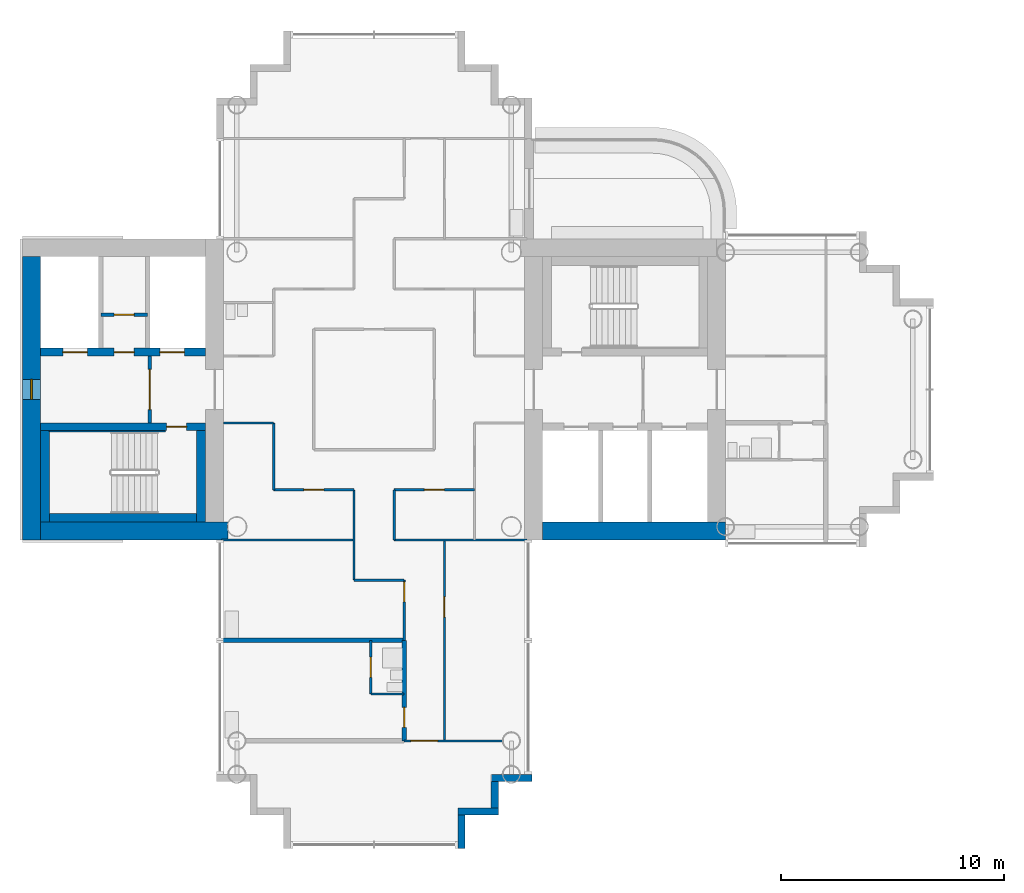
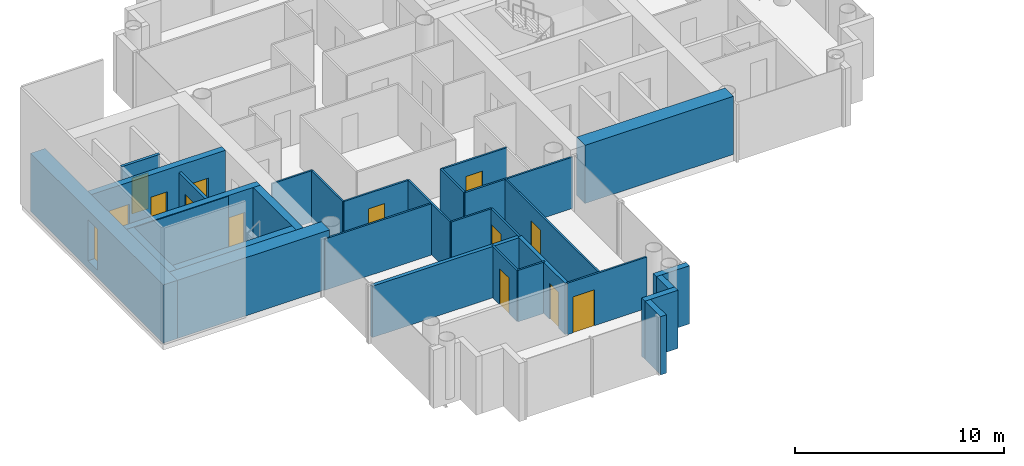
# One storey, part 7 of 19: 31 walls, 13 doors, 1 window, 14 openings.
"""IFC4 building model written with IfcOpenShell, lengths in metres."""

from ifc_helpers import new_model, si_unit, direction, frame, frame_2d, origin, place, context, subcontext, project, spatial, rectangle, extrude, material, layer, layer_set, type_object, element, fill, save


model = new_model("IFC4")

# Units and contexts
model_context = context("Model", 3, precision=1e-05, world=origin(), true_north=direction((0.0, 1.0)))
body_context = subcontext(model_context, "Body", "Model", "MODEL_VIEW")
ifc_project = project(units=[si_unit("LENGTHUNIT", "METRE"), si_unit("AREAUNIT", "SQUARE_METRE"), si_unit("VOLUMEUNIT", "CUBIC_METRE"), si_unit("PLANEANGLEUNIT", "RADIAN"), si_unit("MASSUNIT", "GRAM", prefix="KILO")], contexts=[model_context])

# Site, building, storey
site_placement = place(None, origin())
site = spatial("IfcSite", under=ifc_project, at=site_placement, CompositionType="ELEMENT")
building_placement = place(site_placement, origin())
building = spatial("IfcBuilding", under=site, at=building_placement, Name="Ipe Terrace Towers", CompositionType="ELEMENT")
storey_placement = place(building_placement, frame((0.0, 0.0, 174.5)))
storey = spatial("IfcBuildingStorey", under=building, at=storey_placement, Name="L48", CompositionType="ELEMENT", Elevation=174.5)

# Walls
ifc_material_1 = material(Name="Concrete C40/50 with buff precast cladding", Category="concrete")
ifc_layer_1 = layer(ifc_material_1, 0.320068359375)
ifc_layer_set_1 = layer_set([ifc_layer_1], Name="BUFF CLADDING WALL 320")
wall_type_1 = type_object("IfcWallType", Name="BUFF CLADDING WALL 320", PredefinedType="STANDARD", material=ifc_layer_set_1)
wall_1_placement = place(storey_placement, frame((-32.090087890625, -20.570068359375, -0.300048828125), z_axis=(0.0, 0.0, 1.0), x_axis=(0.0, 1.0, 0.0)))
element("IfcWall", 1, at=wall_1_placement, inside=storey, type_object=wall_type_1, Name="T1-W-L48-09a wall", PredefinedType="STANDARD", context=body_context, shape_type="SweptSolid", body=[
    extrude(rectangle(XDim=1.5, YDim=0.320068359375, at=frame_2d((0.75, 0.0))), origin(), (0.0, 0.0, 1.0), 3.400146484375),
])
wall_2_placement = place(storey_placement, frame((-32.25, -18.909912109375, -0.300048828125), z_axis=(0.0, 0.0, 1.0), x_axis=(1.0, 0.0, 0.0)))
element("IfcWall", 2, at=wall_2_placement, inside=storey, type_object=wall_type_1, Name="T1-W-L48-10a wall", PredefinedType="STANDARD", context=body_context, shape_type="SweptSolid", body=[
    extrude(rectangle(XDim=1.820068359375, YDim=0.320068359375, at=frame_2d((0.91015625, 0.0))), origin(), (0.0, 0.0, 1.0), 3.400146484375),
])
wall_3_placement = place(storey_placement, frame((-30.590087890625, -18.75, -0.300048828125), z_axis=(0.0, 0.0, 1.0), x_axis=(0.0, 1.0, 0.0)))
element("IfcWall", 3, at=wall_3_placement, inside=storey, type_object=wall_type_1, Name="T1-W-L48-11a wall", PredefinedType="STANDARD", context=body_context, shape_type="SweptSolid", body=[
    extrude(rectangle(XDim=1.179931640625, YDim=0.320068359375, at=frame_2d((0.58984375, 0.0))), origin(), (0.0, 0.0, 1.0), 3.400146484375),
])
wall_4_placement = place(storey_placement, frame((-30.75, -17.409912109375, -0.300048828125), z_axis=(0.0, 0.0, 1.0), x_axis=(1.0, 0.0, 0.0)))
element("IfcWall", 4, at=wall_4_placement, inside=storey, type_object=wall_type_1, Name="T1-W-L48-12a wall", PredefinedType="STANDARD", context=body_context, shape_type="SweptSolid", body=[
    extrude(rectangle(XDim=1.820068359375, YDim=0.320068359375, at=frame_2d((0.91015625, 0.0))), origin(), (0.0, 0.0, 1.0), 3.400146484375),
])
ifc_material_2 = material(Name="Gypsum board partition", Category="plasterboard")
ifc_layer_2 = layer(ifc_material_2, 0.10009765625)
ifc_layer_set_2 = layer_set([ifc_layer_2], Name="Gypsum board partition 100 mm")
wall_type_2 = type_object("IfcWallType", Name="Gypsum board partition 100 mm", PredefinedType="PARTITIONING", material=ifc_layer_set_2)
wall_5_placement = place(storey_placement, frame((-40.5, -4.5, 0.0), z_axis=(0.0, 0.0, 1.0), x_axis=(0.0, 1.0, 0.0)))
element("IfcWall", 5, at=wall_5_placement, inside=storey, type_object=wall_type_2, Name="Gypsum board partition T1 L48 W01", PredefinedType="PARTITIONING", context=body_context, shape_type="SweptSolid", body=[
    extrude(rectangle(XDim=3.0, YDim=0.10009765625, at=frame_2d((1.5, 0.0))), origin(), (0.0, 0.0, 1.0), 3.0),
])
wall_6_placement = place(storey_placement, frame((-36.89990234375, -8.550048828125, 0.0), z_axis=(0.0, 0.0, 1.0), x_axis=(0.0, 1.0, 0.0)))
element("IfcWall", 6, at=wall_6_placement, inside=storey, type_object=wall_type_2, Name="Gypsum board partition T1 L48 W04", PredefinedType="PARTITIONING", context=body_context, shape_type="SweptSolid", body=[
    extrude(rectangle(XDim=4.050048828125, YDim=0.10009765625, at=frame_2d((2.02490234375, 0.0))), origin(), (0.0, 0.0, 1.0), 3.0),
])

# Wall, opening, door
wall_7_placement = place(storey_placement, frame((-36.14990234375, -13.64990234375, 0.0), z_axis=(0.0, 0.0, 1.0), x_axis=(0.0, 1.0, 0.0)))
wall_7 = element("IfcWall", 7, at=wall_7_placement, inside=storey, type_object=wall_type_2, Name="Gypsum board partition T1 L48 W06", PredefinedType="PARTITIONING", context=body_context, shape_type="SweptSolid", body=[
    extrude(rectangle(XDim=2.39990234375, YDim=0.10009765625, at=frame_2d((1.199951171875, 0.0))), origin(), (0.0, 0.0, 1.0), 3.0),
])
opening_1_placement = place(wall_7_placement, frame((0.75, 0.0, 0.0)))
opening_1 = element("IfcOpeningElement", 8, at=opening_1_placement, cuts=wall_7, Name="Opening T1-Z3D-16", PredefinedType="OPENING", context=body_context, shape_type="SweptSolid", body=[
    extrude(rectangle(XDim=0.89990234375, YDim=2.10009765625, at=frame_2d((0.449951171875, 1.050048828125))), frame((0.0, 0.06005859375, 0.0), z_axis=(0.0, -1.0, 0.0), x_axis=(1.0, 0.0, 0.0)), (0.0, 0.0, 1.0), 0.1201171875),
])
ifc_material_3 = material(Name="Timber door leaf", Category="wood")
door_type_1 = type_object("IfcDoorType", Name="Bathroom door 900 x 2100", OperationType="NOTDEFINED", PredefinedType="DOOR", material=ifc_material_3)
door_1_placement = place(opening_1_placement, origin())
door_1 = element("IfcDoor", 9, at=door_1_placement, inside=storey, type_object=door_type_1, Name="Bathroom door T1-Z3D-16", OperationType="SINGLE_SWING_RIGHT", OverallHeight=2.10009765625, OverallWidth=0.89990234375, PredefinedType="DOOR", context=body_context, shape_type="SweptSolid", body=[
    extrude(rectangle(XDim=0.89990234375, YDim=2.10009765625, at=frame_2d((0.449951171875, 1.050048828125))), frame((0.0, 0.02490234375, 0.0), z_axis=(0.0, -1.0, 0.0), x_axis=(1.0, 0.0, 0.0)), (0.0, 0.0, 1.0), 0.050048828125),
])
fill(opening_1, door_1)

# Wall
wall_8_placement = place(storey_placement, frame((-35.10009765625, -6.75, 0.0), z_axis=(0.0, 0.0, 1.0), x_axis=(0.0, 1.0, 0.0)))
element("IfcWall", 10, at=wall_8_placement, inside=storey, type_object=wall_type_2, Name="Gypsum board partition T1 L48 W07", PredefinedType="PARTITIONING", context=body_context, shape_type="SweptSolid", body=[
    extrude(rectangle(XDim=2.25, YDim=0.10009765625, at=frame_2d((1.125, 0.0))), origin(), (0.0, 0.0, 1.0), 3.0),
])

# Wall, opening, door
wall_9_placement = place(storey_placement, frame((-34.64990234375, -11.25, 0.0), z_axis=(0.0, 0.0, 1.0), x_axis=(0.0, 1.0, 0.0)))
wall_9 = element("IfcWall", 11, at=wall_9_placement, inside=storey, type_object=wall_type_2, Name="Gypsum board partition T1 L48 W09", PredefinedType="PARTITIONING", context=body_context, shape_type="SweptSolid", body=[
    extrude(rectangle(XDim=2.699951171875, YDim=0.10009765625, at=frame_2d((1.35009765625, 0.0))), origin(), (0.0, 0.0, 1.0), 3.0),
])
opening_2_placement = place(wall_9_placement, frame((1.72998046875, 0.0, 0.0)))
opening_2 = element("IfcOpeningElement", 12, at=opening_2_placement, cuts=wall_9, Name="Opening T1-Z3D-14", PredefinedType="OPENING", context=body_context, shape_type="SweptSolid", body=[
    extrude(rectangle(XDim=0.89990234375, YDim=2.10009765625, at=frame_2d((0.449951171875, 1.050048828125))), frame((0.0, 0.06005859375, 0.0), z_axis=(0.0, -1.0, 0.0), x_axis=(1.0, 0.0, 0.0)), (0.0, 0.0, 1.0), 0.1201171875),
])
ifc_material_4 = material(Name="Timber door leaf", Category="wood")
door_type_2 = type_object("IfcDoorType", Name="Lounge door 900 x 2100", OperationType="NOTDEFINED", PredefinedType="DOOR", material=ifc_material_4)
door_2_placement = place(opening_2_placement, origin())
door_2 = element("IfcDoor", 13, at=door_2_placement, inside=storey, type_object=door_type_2, Name="Lounge door T1-Z3D-14", OperationType="SINGLE_SWING_LEFT", OverallHeight=2.10009765625, OverallWidth=0.89990234375, PredefinedType="DOOR", context=body_context, shape_type="SweptSolid", body=[
    extrude(rectangle(XDim=0.89990234375, YDim=2.10009765625, at=frame_2d((0.449951171875, 1.050048828125))), frame((0.0, 0.02490234375, 0.0), z_axis=(0.0, -1.0, 0.0), x_axis=(1.0, 0.0, 0.0)), (0.0, 0.0, 1.0), 0.050048828125),
])
fill(opening_2, door_2)

wall_10_placement = place(storey_placement, frame((-32.85009765625, -15.75, 0.0), z_axis=(0.0, 0.0, 1.0), x_axis=(0.0, 1.0, 0.0)))
wall_10 = element("IfcWall", 14, at=wall_10_placement, inside=storey, type_object=wall_type_2, Name="Gypsum board partition T1 L48 W13", PredefinedType="PARTITIONING", context=body_context, shape_type="SweptSolid", body=[
    extrude(rectangle(XDim=9.0, YDim=0.10009765625, at=frame_2d((4.5, 0.0))), origin(), (0.0, 0.0, 1.0), 3.0),
])
opening_3_placement = place(wall_10_placement, frame((5.550048828125, 0.0, 0.0)))
opening_3 = element("IfcOpeningElement", 15, at=opening_3_placement, cuts=wall_10, Name="Opening T1-Z3D-13", PredefinedType="OPENING", context=body_context, shape_type="SweptSolid", body=[
    extrude(rectangle(XDim=0.89990234375, YDim=2.10009765625, at=frame_2d((0.449951171875, 1.050048828125))), frame((0.0, 0.06005859375, 0.0), z_axis=(0.0, -1.0, 0.0), x_axis=(1.0, 0.0, 0.0)), (0.0, 0.0, 1.0), 0.1201171875),
])
door_3_placement = place(opening_3_placement, origin())
door_3 = element("IfcDoor", 16, at=door_3_placement, inside=storey, type_object=door_type_2, Name="Lounge door T1-Z3D-13", OperationType="SINGLE_SWING_RIGHT", OverallHeight=2.10009765625, OverallWidth=0.89990234375, PredefinedType="DOOR", context=body_context, shape_type="SweptSolid", body=[
    extrude(rectangle(XDim=0.89990234375, YDim=2.10009765625, at=frame_2d((0.449951171875, 1.050048828125))), frame((0.0, 0.02490234375, 0.0), z_axis=(0.0, -1.0, 0.0), x_axis=(1.0, 0.0, 0.0)), (0.0, 0.0, 1.0), 0.050048828125),
])
fill(opening_3, door_3)

wall_11_placement = place(storey_placement, frame((-34.64990234375, -15.75, 0.0), z_axis=(0.0, 0.0, 1.0), x_axis=(1.0, 0.0, 0.0)))
wall_11 = element("IfcWall", 17, at=wall_11_placement, inside=storey, type_object=wall_type_2, Name="Gypsum board partition T1 L48 W20", PredefinedType="PARTITIONING", context=body_context, shape_type="SweptSolid", body=[
    extrude(rectangle(XDim=4.39990234375, YDim=0.10009765625, at=frame_2d((2.199951171875, 0.0))), origin(), (0.0, 0.0, 1.0), 3.0),
])
opening_4_placement = place(wall_11_placement, frame((0.300048828125, 0.0, 0.0)))
opening_4 = element("IfcOpeningElement", 18, at=opening_4_placement, cuts=wall_11, Name="Opening T1-Z3D-17", PredefinedType="OPENING", context=body_context, shape_type="SweptSolid", body=[
    extrude(rectangle(XDim=1.199951171875, YDim=2.10009765625, at=frame_2d((0.60009765625, 1.050048828125))), frame((0.0, 0.06005859375, 0.0), z_axis=(0.0, -1.0, 0.0), x_axis=(1.0, 0.0, 0.0)), (0.0, 0.0, 1.0), 0.1201171875),
])
ifc_material_5 = material(Name="Timber door leaf", Category="wood")
door_type_3 = type_object("IfcDoorType", Name="Lounge door 1200 x 2100", OperationType="NOTDEFINED", PredefinedType="DOOR", material=ifc_material_5)
door_4_placement = place(opening_4_placement, origin())
door_4 = element("IfcDoor", 19, at=door_4_placement, inside=storey, type_object=door_type_3, Name="Lounge door T1-Z3D-17", OperationType="SINGLE_SWING_LEFT", OverallHeight=2.10009765625, OverallWidth=1.199951171875, PredefinedType="DOOR", context=body_context, shape_type="SweptSolid", body=[
    extrude(rectangle(XDim=1.199951171875, YDim=2.10009765625, at=frame_2d((0.60009765625, 1.050048828125))), frame((0.0, 0.02490234375, 0.0), z_axis=(0.0, -1.0, 0.0), x_axis=(1.0, 0.0, 0.0)), (0.0, 0.0, 1.0), 0.050048828125),
])
fill(opening_4, door_4)

# Walls
wall_12_placement = place(storey_placement, frame((-36.14990234375, -13.64990234375, 0.0), z_axis=(0.0, 0.0, 1.0), x_axis=(1.0, 0.0, 0.0)))
element("IfcWall", 20, at=wall_12_placement, inside=storey, type_object=wall_type_2, Name="Gypsum board partition T1 L48 W22", PredefinedType="PARTITIONING", context=body_context, shape_type="SweptSolid", body=[
    extrude(rectangle(XDim=1.5, YDim=0.10009765625, at=frame_2d((0.75, 0.0))), origin(), (0.0, 0.0, 1.0), 3.0),
])
wall_13_placement = place(storey_placement, frame((-36.89990234375, -8.550048828125, 0.0), z_axis=(0.0, 0.0, 1.0), x_axis=(1.0, 0.0, 0.0)))
element("IfcWall", 21, at=wall_13_placement, inside=storey, type_object=wall_type_2, Name="Gypsum board partition T1 L48 W24", PredefinedType="PARTITIONING", context=body_context, shape_type="SweptSolid", body=[
    extrude(rectangle(XDim=2.25, YDim=0.10009765625, at=frame_2d((1.125, 0.0))), origin(), (0.0, 0.0, 1.0), 3.0),
])
for number, where, z_axis, x_axis, name in (
    (22, (-42.85009765625, -6.75, 0.0), (0.0, 0.0, 1.0), (1.0, 0.0, 0.0), "Gypsum board partition T1 L48 W25"),
    (23, (-35.10009765625, -6.75, 0.0), (0.0, 0.0, 1.0), (1.0, 0.0, 0.0), "Gypsum board partition T1 L48 W26"),
):
    element("IfcWall", number, at=place(storey_placement, frame(where, z_axis=z_axis, x_axis=x_axis)), inside=storey, type_object=wall_type_2, Name=name, PredefinedType="PARTITIONING", context=body_context, shape_type="SweptSolid", body=[
        extrude(rectangle(XDim=5.9501953125, YDim=0.10009765625, at=frame_2d((2.97509765625, 0.0))), origin(), (0.0, 0.0, 1.0), 3.0),
    ])

# Wall, opening, door
wall_14_placement = place(storey_placement, frame((-40.5, -4.5, 0.0), z_axis=(0.0, 0.0, 1.0), x_axis=(1.0, 0.0, 0.0)))
wall_14 = element("IfcWall", 24, at=wall_14_placement, inside=storey, type_object=wall_type_2, Name="Gypsum board partition T1 L48 W27", PredefinedType="PARTITIONING", context=body_context, shape_type="SweptSolid", body=[
    extrude(rectangle(XDim=3.60009765625, YDim=0.10009765625, at=frame_2d((1.800048828125, 0.0))), origin(), (0.0, 0.0, 1.0), 3.0),
])
opening_5_placement = place(wall_14_placement, frame((1.35009765625, 0.0, 0.0)))
opening_5 = element("IfcOpeningElement", 25, at=opening_5_placement, cuts=wall_14, Name="Opening T1-Z3D-07", PredefinedType="OPENING", context=body_context, shape_type="SweptSolid", body=[
    extrude(rectangle(XDim=0.89990234375, YDim=2.10009765625, at=frame_2d((0.449951171875, 1.050048828125))), frame((0.0, 0.06005859375, 0.0), z_axis=(0.0, -1.0, 0.0), x_axis=(1.0, 0.0, 0.0)), (0.0, 0.0, 1.0), 0.1201171875),
])
door_5_placement = place(opening_5_placement, origin())
door_5 = element("IfcDoor", 26, at=door_5_placement, inside=storey, type_object=door_type_2, Name="Lounge door T1-Z3D-07", OperationType="SINGLE_SWING_RIGHT", OverallHeight=2.10009765625, OverallWidth=0.89990234375, PredefinedType="DOOR", context=body_context, shape_type="SweptSolid", body=[
    extrude(rectangle(XDim=0.89990234375, YDim=2.10009765625, at=frame_2d((0.449951171875, 1.050048828125))), frame((0.0, 0.02490234375, 0.0), z_axis=(0.0, -1.0, 0.0), x_axis=(1.0, 0.0, 0.0)), (0.0, 0.0, 1.0), 0.050048828125),
])
fill(opening_5, door_5)

wall_15_placement = place(storey_placement, frame((-35.10009765625, -4.5, 0.0), z_axis=(0.0, 0.0, 1.0), x_axis=(1.0, 0.0, 0.0)))
wall_15 = element("IfcWall", 27, at=wall_15_placement, inside=storey, type_object=wall_type_2, Name="Gypsum board partition T1 L48 W28", PredefinedType="PARTITIONING", context=body_context, shape_type="SweptSolid", body=[
    extrude(rectangle(XDim=3.60009765625, YDim=0.10009765625, at=frame_2d((1.800048828125, 0.0))), origin(), (0.0, 0.0, 1.0), 3.0),
])
opening_6_placement = place(wall_15_placement, frame((1.35009765625, 0.0, 0.0)))
opening_6 = element("IfcOpeningElement", 28, at=opening_6_placement, cuts=wall_15, Name="Opening T1-Z3D-08", PredefinedType="OPENING", context=body_context, shape_type="SweptSolid", body=[
    extrude(rectangle(XDim=0.89990234375, YDim=2.10009765625, at=frame_2d((0.449951171875, 1.050048828125))), frame((0.0, 0.06005859375, 0.0), z_axis=(0.0, -1.0, 0.0), x_axis=(1.0, 0.0, 0.0)), (0.0, 0.0, 1.0), 0.1201171875),
])
door_6_placement = place(opening_6_placement, origin())
door_6 = element("IfcDoor", 29, at=door_6_placement, inside=storey, type_object=door_type_2, Name="Lounge door T1-Z3D-08", OperationType="SINGLE_SWING_RIGHT", OverallHeight=2.10009765625, OverallWidth=0.89990234375, PredefinedType="DOOR", context=body_context, shape_type="SweptSolid", body=[
    extrude(rectangle(XDim=0.89990234375, YDim=2.10009765625, at=frame_2d((0.449951171875, 1.050048828125))), frame((0.0, 0.02490234375, 0.0), z_axis=(0.0, -1.0, 0.0), x_axis=(1.0, 0.0, 0.0)), (0.0, 0.0, 1.0), 0.050048828125),
])
fill(opening_6, door_6)

# Wall
wall_16_placement = place(storey_placement, frame((-42.75, -1.5, 0.0), z_axis=(0.0, 0.0, 1.0), x_axis=(1.0, 0.0, 0.0)))
element("IfcWall", 30, at=wall_16_placement, inside=storey, type_object=wall_type_2, Name="Gypsum board partition T1 L48 W31", PredefinedType="PARTITIONING", context=body_context, shape_type="SweptSolid", body=[
    extrude(rectangle(XDim=2.25, YDim=0.10009765625, at=frame_2d((1.125, 0.0))), origin(), (0.0, 0.0, 1.0), 3.0),
])

# Wall, opening, door
ifc_material_6 = material(Name="Gypsum board partition", Category="plasterboard")
ifc_layer_3 = layer(ifc_material_6, 0.14990234375)
ifc_layer_set_3 = layer_set([ifc_layer_3], Name="Gypsum board partition 150 mm")
wall_type_3 = type_object("IfcWallType", Name="Gypsum board partition 150 mm", PredefinedType="PARTITIONING", material=ifc_layer_set_3)
wall_17_placement = place(storey_placement, frame((-46.050048828125, 1.5, 0.0), z_axis=(0.0, 0.0, 1.0), x_axis=(0.0, -1.0, 0.0)))
wall_17 = element("IfcWall", 31, at=wall_17_placement, inside=storey, type_object=wall_type_3, Name="Gypsum board partition T1 L48 t1c2-lobby-wall", PredefinedType="PARTITIONING", context=body_context, shape_type="SweptSolid", body=[
    extrude(rectangle(XDim=3.0, YDim=0.14990234375, at=frame_2d((1.5, 0.0))), origin(), (0.0, 0.0, 1.0), 3.0),
])
opening_7_placement = place(wall_17_placement, frame((0.60009765625, 0.0, 0.0)))
opening_7 = element("IfcOpeningElement", 32, at=opening_7_placement, cuts=wall_17, Name="Opening T1C2-VD", PredefinedType="OPENING", context=body_context, shape_type="SweptSolid", body=[
    extrude(rectangle(XDim=1.800048828125, YDim=2.10009765625, at=frame_2d((0.89990234375, 1.050048828125))), frame((0.0, 0.0849609375, 0.0), z_axis=(0.0, -1.0, 0.0), x_axis=(1.0, 0.0, 0.0)), (0.0, 0.0, 1.0), 0.169921875),
])
ifc_material_7 = material(Name="Fire-rated timber door leaf", Category="wood")
door_type_4 = type_object("IfcDoorType", Name="Lobby door 1800 x 2100 FD60", OperationType="NOTDEFINED", PredefinedType="DOOR", material=ifc_material_7)
door_7_placement = place(opening_7_placement, origin())
door_7 = element("IfcDoor", 33, at=door_7_placement, inside=storey, type_object=door_type_4, Name="Lobby door T1C2-VD", OperationType="SINGLE_SWING_LEFT", OverallHeight=2.10009765625, OverallWidth=1.800048828125, PredefinedType="DOOR", context=body_context, shape_type="SweptSolid", body=[
    extrude(rectangle(XDim=1.800048828125, YDim=2.10009765625, at=frame_2d((0.89990234375, 1.050048828125))), frame((0.0, 0.02490234375, 0.0), z_axis=(0.0, -1.0, 0.0), x_axis=(1.0, 0.0, 0.0)), (0.0, 0.0, 1.0), 0.050048828125),
])
fill(opening_7, door_7)

wall_18_placement = place(storey_placement, frame((-46.14990234375, 3.35009765625, 0.0), z_axis=(0.0, 0.0, 1.0), x_axis=(-1.0, 0.0, 0.0)))
wall_18 = element("IfcWall", 34, at=wall_18_placement, inside=storey, type_object=wall_type_3, Name="Gypsum board partition T1 L48 t1c2-q-back", PredefinedType="PARTITIONING", context=body_context, shape_type="SweptSolid", body=[
    extrude(rectangle(XDim=2.10009765625, YDim=0.14990234375, at=frame_2d((1.050048828125, 0.0))), origin(), (0.0, 0.0, 1.0), 3.0),
])
opening_8_placement = place(wall_18_placement, frame((0.60009765625, 0.0, 0.0)))
opening_8 = element("IfcOpeningElement", 35, at=opening_8_placement, cuts=wall_18, Name="Opening T1C2-RB", PredefinedType="OPENING", context=body_context, shape_type="SweptSolid", body=[
    extrude(rectangle(XDim=0.89990234375, YDim=2.10009765625, at=frame_2d((0.449951171875, 1.050048828125))), frame((0.0, 0.0849609375, 0.0), z_axis=(0.0, -1.0, 0.0), x_axis=(1.0, 0.0, 0.0)), (0.0, 0.0, 1.0), 0.169921875),
])
ifc_material_8 = material(Name="Fire-rated timber door leaf", Category="wood")
door_type_5 = type_object("IfcDoorType", Name="Service door 900 x 2100 FD60", OperationType="NOTDEFINED", PredefinedType="DOOR", material=ifc_material_8)
door_8_placement = place(opening_8_placement, origin())
door_8 = element("IfcDoor", 36, at=door_8_placement, inside=storey, type_object=door_type_5, Name="Service door T1C2-RB", OperationType="SINGLE_SWING_LEFT", OverallHeight=2.10009765625, OverallWidth=0.89990234375, PredefinedType="DOOR", context=body_context, shape_type="SweptSolid", body=[
    extrude(rectangle(XDim=0.89990234375, YDim=2.10009765625, at=frame_2d((0.449951171875, 1.050048828125))), frame((0.0, 0.02490234375, 0.0), z_axis=(0.0, -1.0, 0.0), x_axis=(1.0, 0.0, 0.0)), (0.0, 0.0, 1.0), 0.050048828125),
])
fill(opening_8, door_8)

ifc_material_9 = material(Name="Gypsum board party wall", Category="plasterboard")
ifc_layer_4 = layer(ifc_material_9, 0.199951171875)
ifc_layer_set_4 = layer_set([ifc_layer_4], Name="Gypsum board party wall 200 mm")
wall_type_4 = type_object("IfcWallType", Name="Gypsum board party wall 200 mm", PredefinedType="SOLIDWALL", material=ifc_layer_set_4)
wall_19_placement = place(storey_placement, frame((-34.64990234375, -15.75, 0.0), z_axis=(0.0, 0.0, 1.0), x_axis=(0.0, 1.0, 0.0)))
wall_19 = element("IfcWall", 37, at=wall_19_placement, inside=storey, type_object=wall_type_4, Name="Gypsum board party wall T1 L48 W11", PredefinedType="SOLIDWALL", context=body_context, shape_type="SweptSolid", body=[
    extrude(rectangle(XDim=4.5, YDim=0.199951171875, at=frame_2d((2.25, 0.0))), origin(), (0.0, 0.0, 1.0), 3.0),
])
opening_9_placement = place(wall_19_placement, frame((0.60009765625, 0.0, 0.0)))
opening_9 = element("IfcOpeningElement", 38, at=opening_9_placement, cuts=wall_19, Name="Opening T1-Z3D-15", PredefinedType="OPENING", context=body_context, shape_type="SweptSolid", body=[
    extrude(rectangle(XDim=0.89990234375, YDim=2.10009765625, at=frame_2d((0.449951171875, 1.050048828125))), frame((0.0, 0.10986328125, 0.0), z_axis=(0.0, -1.0, 0.0), x_axis=(1.0, 0.0, 0.0)), (0.0, 0.0, 1.0), 0.219970703125),
])
ifc_material_10 = material(Name="Fire-rated timber door leaf", Category="wood")
door_type_6 = type_object("IfcDoorType", Name="Flat entrance door 900 x 2100 FD30S", OperationType="NOTDEFINED", PredefinedType="DOOR", material=ifc_material_10)
door_9_placement = place(opening_9_placement, origin())
door_9 = element("IfcDoor", 39, at=door_9_placement, inside=storey, type_object=door_type_6, Name="Flat entrance door T1-Z3D-15", OperationType="SINGLE_SWING_RIGHT", OverallHeight=2.10009765625, OverallWidth=0.89990234375, PredefinedType="DOOR", context=body_context, shape_type="SweptSolid", body=[
    extrude(rectangle(XDim=0.89990234375, YDim=2.10009765625, at=frame_2d((0.449951171875, 1.050048828125))), frame((0.0, 0.02490234375, 0.0), z_axis=(0.0, -1.0, 0.0), x_axis=(1.0, 0.0, 0.0)), (0.0, 0.0, 1.0), 0.050048828125),
])
fill(opening_9, door_9)

# Wall
wall_20_placement = place(storey_placement, frame((-42.85009765625, -11.25, 0.0), z_axis=(0.0, 0.0, 1.0), x_axis=(1.0, 0.0, 0.0)))
element("IfcWall", 40, at=wall_20_placement, inside=storey, type_object=wall_type_4, Name="Gypsum board party wall T1 L48 W23", PredefinedType="SOLIDWALL", context=body_context, shape_type="SweptSolid", body=[
    extrude(rectangle(XDim=8.2001953125, YDim=0.199951171875, at=frame_2d((4.10009765625, 0.0))), origin(), (0.0, 0.0, 1.0), 3.0),
])

# Wall, opening, door
ifc_material_11 = material(Name="Concrete C50/60", Category="concrete")
ifc_layer_5 = layer(ifc_material_11, 0.35009765625)
ifc_layer_set_5 = layer_set([ifc_layer_5], Name="RW350 CORE SPINE WALL 350 C50-60")
wall_type_5 = type_object("IfcWallType", Name="RW350 CORE SPINE WALL 350 C50-60", PredefinedType="SHEAR", material=ifc_layer_set_5)
wall_21_placement = place(storey_placement, frame((-50.949951171875, -1.675048828125, 0.0), z_axis=(0.0, 0.0, 1.0), x_axis=(1.0, 0.0, 0.0)))
wall_21 = element("IfcWall", 41, at=wall_21_placement, inside=storey, type_object=wall_type_5, Name="Core spine wall T1-C2-Z3-SW1", PredefinedType="SHEAR", context=body_context, shape_type="SweptSolid", body=[
    extrude(rectangle(XDim=7.39990234375, YDim=0.35009765625, at=frame_2d((3.699951171875, 0.0))), origin(), (0.0, 0.0, 1.0), 3.39990234375),
])
opening_10_placement = place(wall_21_placement, frame((5.64990234375, 0.0, 0.0)))
opening_10 = element("IfcOpeningElement", 42, at=opening_10_placement, cuts=wall_21, Name="Opening T1C2-SD", PredefinedType="OPENING", context=body_context, shape_type="SweptSolid", body=[
    extrude(rectangle(XDim=0.89990234375, YDim=2.10009765625, at=frame_2d((0.449951171875, 1.050048828125))), frame((0.0, 0.18505859375, 0.0), z_axis=(0.0, -1.0, 0.0), x_axis=(1.0, 0.0, 0.0)), (0.0, 0.0, 1.0), 0.3701171875),
])
ifc_material_12 = material(Name="Fire-rated timber door leaf", Category="wood")
door_type_7 = type_object("IfcDoorType", Name="Stair door 900 x 2100 FD60", OperationType="NOTDEFINED", PredefinedType="DOOR", material=ifc_material_12)
door_10_placement = place(opening_10_placement, origin())
door_10 = element("IfcDoor", 43, at=door_10_placement, inside=storey, type_object=door_type_7, Name="Stair door T1C2-SD", OperationType="SINGLE_SWING_RIGHT", OverallHeight=2.10009765625, OverallWidth=0.89990234375, PredefinedType="DOOR", context=body_context, shape_type="SweptSolid", body=[
    extrude(rectangle(XDim=0.89990234375, YDim=2.10009765625, at=frame_2d((0.449951171875, 1.050048828125))), frame((0.0, 0.02490234375, 0.0), z_axis=(0.0, -1.0, 0.0), x_axis=(1.0, 0.0, 0.0)), (0.0, 0.0, 1.0), 0.050048828125),
])
fill(opening_10, door_10)

# Wall, openings, doors
wall_22_placement = place(storey_placement, frame((-50.949951171875, 1.675048828125, 0.0), z_axis=(0.0, 0.0, 1.0), x_axis=(1.0, 0.0, 0.0)))
wall_22 = element("IfcWall", 44, at=wall_22_placement, inside=storey, type_object=wall_type_5, Name="Core spine wall T1-C2-Z3-SW2", PredefinedType="SHEAR", context=body_context, shape_type="SweptSolid", body=[
    extrude(rectangle(XDim=7.39990234375, YDim=0.35009765625, at=frame_2d((3.699951171875, 0.0))), origin(), (0.0, 0.0, 1.0), 3.39990234375),
])
opening_11_placement = place(wall_22_placement, frame((5.35009765625, 0.0, 0.0)))
opening_11 = element("IfcOpeningElement", 45, at=opening_11_placement, cuts=wall_22, Name="Opening T1C2-LD1", PredefinedType="OPENING", context=body_context, shape_type="SweptSolid", body=[
    extrude(rectangle(XDim=1.10009765625, YDim=2.10009765625, at=frame_2d((0.550048828125, 1.050048828125))), frame((0.0, 0.18505859375, 0.0), z_axis=(0.0, -1.0, 0.0), x_axis=(1.0, 0.0, 0.0)), (0.0, 0.0, 1.0), 0.3701171875),
])
opening_12_placement = place(wall_22_placement, frame((1.0, 0.0, 0.0)))
opening_12 = element("IfcOpeningElement", 46, at=opening_12_placement, cuts=wall_22, Name="Opening T1C2-LD3", PredefinedType="OPENING", context=body_context, shape_type="SweptSolid", body=[
    extrude(rectangle(XDim=1.10009765625, YDim=2.10009765625, at=frame_2d((0.550048828125, 1.050048828125))), frame((0.0, 0.18505859375, 0.0), z_axis=(0.0, -1.0, 0.0), x_axis=(1.0, 0.0, 0.0)), (0.0, 0.0, 1.0), 0.3701171875),
])
opening_13_placement = place(wall_22_placement, frame((3.300048828125, 0.0, 0.0)))
opening_13 = element("IfcOpeningElement", 47, at=opening_13_placement, cuts=wall_22, Name="Opening T1C2-R1-NR", PredefinedType="OPENING", context=body_context, shape_type="SweptSolid", body=[
    extrude(rectangle(XDim=0.89990234375, YDim=2.10009765625, at=frame_2d((0.449951171875, 1.050048828125))), frame((0.0, 0.18505859375, 0.0), z_axis=(0.0, -1.0, 0.0), x_axis=(1.0, 0.0, 0.0)), (0.0, 0.0, 1.0), 0.3701171875),
])
ifc_material_13 = material(Name="Fire-rated timber door leaf", Category="wood")
door_type_8 = type_object("IfcDoorType", Name="Sliding door 1100 x 2100 FD60", OperationType="SLIDING_TO_LEFT", PredefinedType="DOOR", material=ifc_material_13)
door_11_placement = place(opening_11_placement, origin())
door_11 = element("IfcDoor", 48, at=door_11_placement, inside=storey, type_object=door_type_8, Name="Sliding door T1C2-LD1", OperationType="SLIDING_TO_LEFT", OverallHeight=2.10009765625, OverallWidth=1.10009765625, PredefinedType="DOOR", context=body_context, shape_type="SweptSolid", body=[
    extrude(rectangle(XDim=1.10009765625, YDim=2.10009765625, at=frame_2d((0.550048828125, 1.050048828125))), frame((0.0, 0.02490234375, 0.0), z_axis=(0.0, -1.0, 0.0), x_axis=(1.0, 0.0, 0.0)), (0.0, 0.0, 1.0), 0.050048828125),
])
fill(opening_11, door_11)
door_12_placement = place(opening_12_placement, origin())
door_12 = element("IfcDoor", 49, at=door_12_placement, inside=storey, type_object=door_type_8, Name="Sliding door T1C2-LD3", OperationType="SLIDING_TO_LEFT", OverallHeight=2.10009765625, OverallWidth=1.10009765625, PredefinedType="DOOR", context=body_context, shape_type="SweptSolid", body=[
    extrude(rectangle(XDim=1.10009765625, YDim=2.10009765625, at=frame_2d((0.550048828125, 1.050048828125))), frame((0.0, 0.02490234375, 0.0), z_axis=(0.0, -1.0, 0.0), x_axis=(1.0, 0.0, 0.0)), (0.0, 0.0, 1.0), 0.050048828125),
])
fill(opening_12, door_12)
ifc_material_14 = material(Name="Timber door leaf", Category="wood")
door_type_9 = type_object("IfcDoorType", Name="Store door 900 x 2100", OperationType="NOTDEFINED", PredefinedType="DOOR", material=ifc_material_14)
door_13_placement = place(opening_13_placement, origin())
door_13 = element("IfcDoor", 50, at=door_13_placement, inside=storey, type_object=door_type_9, Name="Store door T1C2-R1-NR", OperationType="SINGLE_SWING_LEFT", OverallHeight=2.10009765625, OverallWidth=0.89990234375, PredefinedType="DOOR", context=body_context, shape_type="SweptSolid", body=[
    extrude(rectangle(XDim=0.89990234375, YDim=2.10009765625, at=frame_2d((0.449951171875, 1.050048828125))), frame((0.0, 0.02490234375, 0.0), z_axis=(0.0, -1.0, 0.0), x_axis=(1.0, 0.0, 0.0)), (0.0, 0.0, 1.0), 0.050048828125),
])
fill(opening_13, door_13)

# Walls
ifc_material_15 = material(Name="Concrete C50/60", Category="concrete")
ifc_layer_6 = layer(ifc_material_15, 0.39990234375)
ifc_layer_set_6 = layer_set([ifc_layer_6], Name="RW400 CORE INFILL WALL 400 C50-60")
wall_type_6 = type_object("IfcWallType", Name="RW400 CORE INFILL WALL 400 C50-60", PredefinedType="SHEAR", material=ifc_layer_set_6)
wall_23_placement = place(storey_placement, frame((-50.75, -1.85009765625, 0.0), z_axis=(0.0, 0.0, 1.0), x_axis=(0.0, -1.0, 0.0)))
element("IfcWall", 51, at=wall_23_placement, inside=storey, type_object=wall_type_6, Name="Core infill wall T1-C2-far", PredefinedType="SHEAR", context=body_context, shape_type="SweptSolid", body=[
    extrude(rectangle(XDim=4.099853515625, YDim=0.39990234375, at=frame_2d((2.0498046875, 0.0))), origin(), (0.0, 0.0, 1.0), 3.39990234375),
])
wall_24_placement = place(storey_placement, frame((-43.949951171875, -5.75, 0.0), z_axis=(0.0, 0.0, 1.0), x_axis=(-1.0, 0.0, 0.0)))
element("IfcWall", 52, at=wall_24_placement, inside=storey, type_object=wall_type_6, Name="Core infill wall T1-C2-back", PredefinedType="SHEAR", context=body_context, shape_type="SweptSolid", body=[
    extrude(rectangle(XDim=6.60009765625, YDim=0.39990234375, at=frame_2d((3.300048828125, 0.0))), origin(), (0.0, 0.0, 1.0), 3.39990234375),
])
wall_25_placement = place(storey_placement, frame((-43.75, -1.85009765625, 0.0), z_axis=(0.0, 0.0, 1.0), x_axis=(0.0, -1.0, 0.0)))
element("IfcWall", 53, at=wall_25_placement, inside=storey, type_object=wall_type_6, Name="Core infill wall T1-C2-near", PredefinedType="SHEAR", context=body_context, shape_type="SweptSolid", body=[
    extrude(rectangle(XDim=4.099853515625, YDim=0.39990234375, at=frame_2d((2.0498046875, 0.0))), origin(), (0.0, 0.0, 1.0), 3.39990234375),
])
ifc_material_16 = material(Name="Concrete C50/60", Category="concrete")
ifc_layer_7 = layer(ifc_material_16, 0.050048828125)
ifc_layer_set_7 = layer_set([ifc_layer_7], Name="RW50 CORE INFILL WALL 50 C50-60")
wall_type_7 = type_object("IfcWallType", Name="RW50 CORE INFILL WALL 50 C50-60", PredefinedType="SHEAR", material=ifc_layer_set_7)
wall_26_placement = place(storey_placement, frame((-45.35009765625, -1.875, 0.0), z_axis=(0.0, 0.0, 1.0), x_axis=(-1.0, 0.0, 0.0)))
element("IfcWall", 54, at=wall_26_placement, inside=storey, type_object=wall_type_7, Name="Core infill wall T1-C2-spine-b", PredefinedType="SHEAR", context=body_context, shape_type="SweptSolid", body=[
    extrude(rectangle(XDim=5.199951171875, YDim=0.050048828125, at=frame_2d((2.60009765625, 0.0))), origin(), (0.0, 0.0, 1.0), 3.39990234375),
])
ifc_material_17 = material(Name="Concrete C50/60", Category="concrete")
ifc_layer_8 = layer(ifc_material_17, 0.800048828125)
ifc_layer_set_8 = layer_set([ifc_layer_8], Name="RW800 CORE WALL 800 C50-60")
wall_type_8 = type_object("IfcWallType", Name="RW800 CORE WALL 800 C50-60", PredefinedType="SHEAR", material=ifc_layer_set_8)
wall_27_placement = place(storey_placement, frame((-28.449951171875, -6.35009765625, 0.0), z_axis=(0.0, 0.0, 1.0), x_axis=(1.0, 0.0, 0.0)))
element("IfcWall", 55, at=wall_27_placement, inside=storey, type_object=wall_type_8, Name="Core wall T1-C1-Z3-W01", PredefinedType="SHEAR", context=body_context, shape_type="SweptSolid", body=[
    extrude(rectangle(XDim=8.199951171875, YDim=0.800048828125, at=frame_2d((4.10009765625, 0.0))), origin(), (0.0, 0.0, 1.0), 3.39990234375),
])
wall_28_placement = place(storey_placement, frame((-50.949951171875, -6.35009765625, 0.0), z_axis=(0.0, 0.0, 1.0), x_axis=(1.0, 0.0, 0.0)))
element("IfcWall", 56, at=wall_28_placement, inside=storey, type_object=wall_type_8, Name="Core wall T1-C2-Z3-W01", PredefinedType="SHEAR", context=body_context, shape_type="SweptSolid", body=[
    extrude(rectangle(XDim=8.39794921875, YDim=0.800048828125, at=frame_2d((4.198974609375, 0.0))), origin(), (0.0, 0.0, 1.0), 3.39990234375),
])

# Wall, opening, window
wall_29_placement = place(storey_placement, frame((-51.35009765625, 5.949951171875, 0.0), z_axis=(0.0, 0.0, 1.0), x_axis=(0.0, -1.0, 0.0)))
wall_29 = element("IfcWall", 57, at=wall_29_placement, inside=storey, type_object=wall_type_8, Name="Core wall T1-C2-Z3-W04", PredefinedType="SHEAR", context=body_context, shape_type="SweptSolid", body=[
    extrude(rectangle(XDim=12.699951171875, YDim=0.800048828125, at=frame_2d((6.35009765625, 0.0))), origin(), (0.0, 0.0, 1.0), 3.39990234375),
])
opening_14_placement = place(wall_29_placement, frame((5.5, 0.0, 0.449951171875)))
opening_14 = element("IfcOpeningElement", 58, at=opening_14_placement, cuts=wall_29, Name="Opening T1-C2-W-01-L48", PredefinedType="OPENING", context=body_context, shape_type="SweptSolid", body=[
    extrude(rectangle(XDim=0.89990234375, YDim=2.39990234375, at=frame_2d((0.449951171875, 1.199951171875))), frame((0.0, 0.41015625, 0.0), z_axis=(0.0, -1.0, 0.0), x_axis=(1.0, 0.0, 0.0)), (0.0, 0.0, 1.0), 0.820068359375),
])
ifc_material_18 = material(Name="Fire-resistant glazing EI 60", Category="glass")
window_type = type_object("IfcWindowType", Name="CORRIDOR END SLOT WINDOW 900 x 2400 EI 60", PartitioningType="SINGLE_PANEL", PredefinedType="WINDOW", material=ifc_material_18)
window_placement = place(opening_14_placement, origin())
window = element("IfcWindow", 59, at=window_placement, inside=storey, type_object=window_type, Name="W-01 window", OverallHeight=2.39990234375, OverallWidth=0.89990234375, PartitioningType="SINGLE_PANEL", PredefinedType="WINDOW", context=body_context, shape_type="SweptSolid", body=[
    extrude(rectangle(XDim=0.89990234375, YDim=2.39990234375, at=frame_2d((0.449951171875, 1.199951171875))), frame((0.0, 0.030029296875, 0.0), z_axis=(0.0, -1.0, 0.0), x_axis=(1.0, 0.0, 0.0)), (0.0, 0.0, 1.0), 0.06005859375),
])
fill(opening_14, window)

save(model, "model.ifc")
